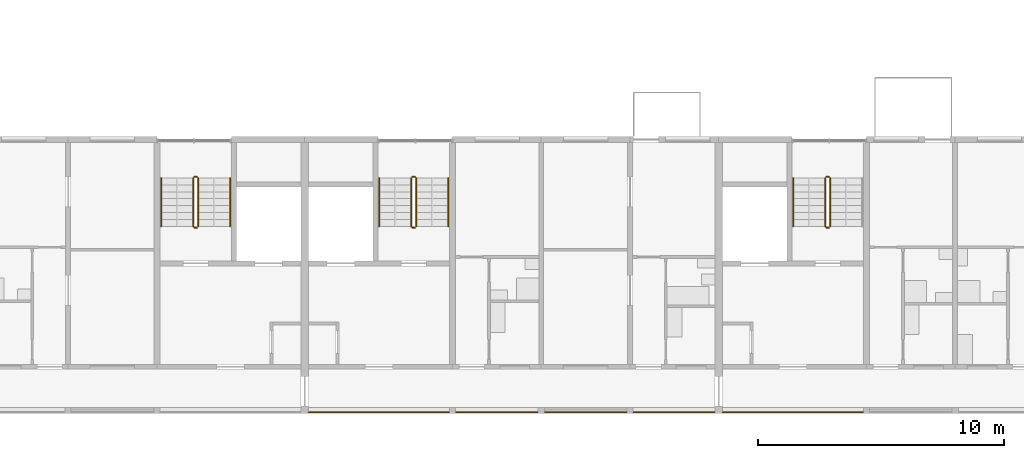
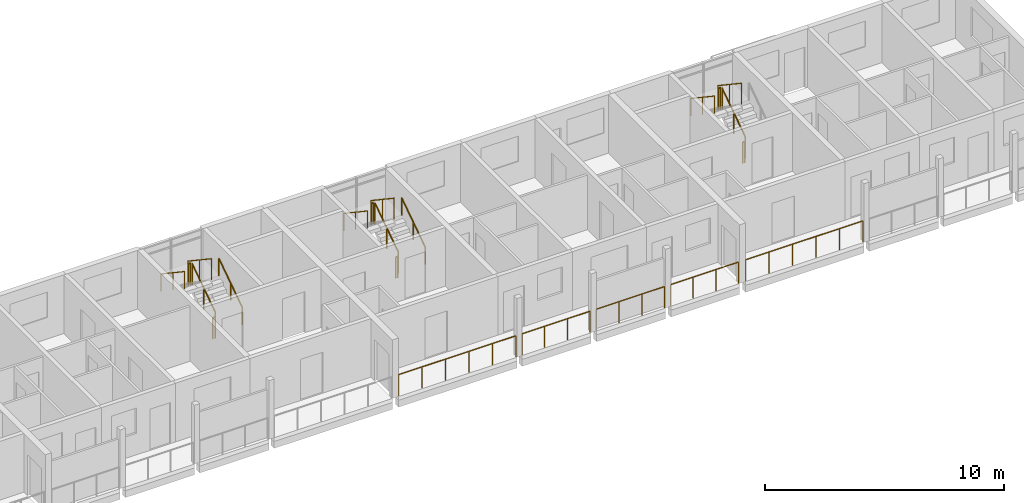
# One storey, part 83 of 87: 22 railings.
"""IFC4 building model written with IfcOpenShell, lengths in metres."""

import ifcopenshell
import ifcopenshell.guid

model = None  # the IFC model being written
_history = None  # IfcOwnerHistory: only IFC2X3 demands one
_inside = {}  # id of a spatial element -> (the spatial element, [elements in it])
_under = {}  # id of a project, library or spatial element -> (it, [spatial elements below it])
_declared = {}  # id of a project -> (the project, [libraries it declares])
_typed = {}  # id of a type object -> (the type object, [elements of that type])
_made_of = {}  # id of a material, layer set ... -> (it, [elements and type objects made of it])


def new_model(schema):
    """Start an empty IFC model of exactly this schema.

    Asked for "IFC4X3", IfcOpenShell would pick the latest addendum, in which some entities
    have other attributes; the version numbers below select the first issue.
    IFC2X3 requires an IfcOwnerHistory on every rooted entity: one is made here for all.
    """
    global model, _history
    if schema == "IFC4X3":
        model = ifcopenshell.file(schema_version=(4, 3, 0, 0))
    else:
        model = ifcopenshell.file(schema=schema)
    _inside.clear()
    _under.clear()
    _declared.clear()
    _typed.clear()
    _made_of.clear()
    _history = None
    if model.schema == "IFC2X3":
        org = make("IfcOrganization", Name="unknown")
        user = make(
            "IfcPersonAndOrganization",
            ThePerson=make("IfcPerson", FamilyName="unknown"),
            TheOrganization=org,
        )
        app = make(
            "IfcApplication",
            ApplicationDeveloper=org,
            Version="unknown",
            ApplicationFullName="unknown",
            ApplicationIdentifier="unknown",
        )
        _history = make(
            "IfcOwnerHistory",
            OwningUser=user,
            OwningApplication=app,
            ChangeAction="ADDED",
            CreationDate=0,
        )
    return model


def make(cls, **values):
    """One entity of the class cls with the attributes given. An attribute that is None is left unset."""
    return model.create_entity(
        cls, **{name: value for name, value in values.items() if value is not None}
    )


def rooted(cls, **values):
    """An entity with a GlobalId (a new one), such as an element, a storey or a relation."""
    return make(cls, GlobalId=ifcopenshell.guid.new(), OwnerHistory=_history, **values)


def si_unit(unit_type, name, prefix=None):
    """IfcSIUnit, for example si_unit("LENGTHUNIT", "METRE", prefix="MILLI")."""
    return make("IfcSIUnit", UnitType=unit_type, Prefix=prefix, Name=name)


def assignment(units):
    """IfcUnitAssignment: the units of a project."""
    return None if units is None else make("IfcUnitAssignment", Units=units)


def point(xyz):
    """IfcCartesianPoint."""
    return None if xyz is None else make("IfcCartesianPoint", Coordinates=xyz)


def direction(xyz):
    """IfcDirection."""
    return None if xyz is None else make("IfcDirection", DirectionRatios=xyz)


def frame(location, z_axis=None, x_axis=None):
    """IfcAxis2Placement3D, a coordinate frame: its origin and axes. An axis left out is left unset."""
    return make(
        "IfcAxis2Placement3D",
        Location=point(location),
        Axis=direction(z_axis),
        RefDirection=direction(x_axis),
    )


def frame_2d(location, x_axis=None):
    """IfcAxis2Placement2D, a coordinate frame in the plane: its origin and x axis."""
    return make(
        "IfcAxis2Placement2D", Location=point(location), RefDirection=direction(x_axis)
    )


def origin():
    """The frame at (0, 0, 0) with its axes left unset."""
    return frame((0.0, 0.0, 0.0))


def origin_2d():
    """The frame at (0, 0) in the plane with its x axis left unset."""
    return frame_2d((0.0, 0.0))


def place(relative_to, where):
    """IfcLocalPlacement: puts the frame where relative to a parent placement (None: the world)."""
    return make(
        "IfcLocalPlacement", PlacementRelTo=relative_to, RelativePlacement=where
    )


def context(
    kind, dimensions, precision=None, world=None, true_north=None, identifier=None
):
    """IfcGeometricRepresentationContext, for example the 3D "Model" context."""
    return make(
        "IfcGeometricRepresentationContext",
        ContextIdentifier=identifier,
        ContextType=kind,
        CoordinateSpaceDimension=dimensions,
        Precision=precision,
        WorldCoordinateSystem=world,
        TrueNorth=true_north,
    )


def subcontext(parent, identifier, kind, view, scale=None):
    """IfcGeometricRepresentationSubContext, for example "Body" below "Model"."""
    return make(
        "IfcGeometricRepresentationSubContext",
        ContextIdentifier=identifier,
        ContextType=kind,
        ParentContext=parent,
        TargetScale=scale,
        TargetView=view,
    )


def project(units=None, contexts=None):
    """IfcProject with its units and contexts."""
    return rooted(
        "IfcProject",
        Name="project",
        RepresentationContexts=contexts,
        UnitsInContext=assignment(units),
    )


def spatial(cls, under=None, at=None, **own):
    """A site, building, storey or space (cls), placed at a placement, below another one or the project."""
    s = rooted(cls, ObjectPlacement=at, **own)
    if under is not None:
        _under.setdefault(under.id(), (under, []))[1].append(s)
    return s


def profile(cls, at=None, kind="AREA", **sizes):
    """A parametric profile (cls). Its sizes go by their IFC names, for example OverallWidth=200.0."""
    return make(cls, ProfileType=kind, Position=at, **sizes)


def circle(**sizes):
    """IfcCircleProfileDef."""
    return profile("IfcCircleProfileDef", **sizes)


def extrude(swept, where, along, depth):
    """IfcExtrudedAreaSolid: the profile swept, set in the frame where, extruded along a direction by depth."""
    return make(
        "IfcExtrudedAreaSolid",
        SweptArea=swept,
        Position=where,
        ExtrudedDirection=direction(along),
        Depth=depth,
    )


def shape(context_of_items, identifier, shape_type, items):
    """IfcShapeRepresentation: the items that make up one representation, for example the "Body"."""
    return make(
        "IfcShapeRepresentation",
        ContextOfItems=context_of_items,
        RepresentationIdentifier=identifier,
        RepresentationType=shape_type,
        Items=items,
    )


def material(Name=None, Category=None):
    """IfcMaterial."""
    return make("IfcMaterial", Name=Name, Category=Category)


def made_of(thing, what):
    """Note that an element or type object is made of a material, layer set ...; save() writes the relation."""
    if what is not None:
        _made_of.setdefault(what.id(), (what, []))[1].append(thing)
    return thing


def type_object(cls, material=None, **own):
    """A type object (cls), such as IfcWallType, which elements share."""
    return made_of(rooted(cls, **own), material)


def element(
    cls,
    number,
    at=None,
    inside=None,
    cuts=None,
    type_object=None,
    material=None,
    context=None,
    identifier="Body",
    shape_type=None,
    held_by="IfcProductDefinitionShape",
    body=None,
    shapes=None,
    **own,
):
    """One element of the class cls, such as IfcWall. Its Tag is "e" and its number.

    at: its placement. inside: the storey or other place that contains it. cuts: it is an
    opening in that element (IfcRelVoidsElement). A single representation is given by context,
    identifier, shape_type and body (its items); several are given by shapes. held_by: the class
    of the entity that holds the representations. save() writes the other relations.
    """
    e = rooted(cls, Tag="e%d" % number, ObjectPlacement=at, **own)
    if body is not None:
        shapes = [shape(context, identifier, shape_type, body)]
    if shapes is not None:
        e.Representation = make(held_by, Representations=shapes)
    if inside is not None:
        _inside.setdefault(inside.id(), (inside, []))[1].append(e)
    if cuts is not None:
        rooted(
            "IfcRelVoidsElement", RelatingBuildingElement=cuts, RelatedOpeningElement=e
        )
    if type_object is not None:
        _typed.setdefault(type_object.id(), (type_object, []))[1].append(e)
    return made_of(e, material)


def aggregate(whole, parts):
    """IfcRelAggregates: a whole, such as a stair, and the parts it consists of."""
    return rooted("IfcRelAggregates", RelatingObject=whole, RelatedObjects=parts)


def save(model, path):
    """Write the relations noted so far, then the file.

    IfcRelAggregates (storeys below a building ...), IfcRelContainedInSpatialStructure (elements
    in a storey), IfcRelDefinesByType, IfcRelAssociatesMaterial and IfcRelDeclares: one each for
    every whole, place, type object, material and project.
    """
    for whole, parts in _under.values():
        aggregate(whole, parts)
    for where, things in _inside.values():
        rooted(
            "IfcRelContainedInSpatialStructure",
            RelatedElements=things,
            RelatingStructure=where,
        )
    for kind, things in _typed.values():
        rooted("IfcRelDefinesByType", RelatedObjects=things, RelatingType=kind)
    for what, things in _made_of.values():
        rooted("IfcRelAssociatesMaterial", RelatedObjects=things, RelatingMaterial=what)
    for by, libraries in _declared.values():
        rooted("IfcRelDeclares", RelatingContext=by, RelatedDefinitions=libraries)
    model.write(path)


model = new_model("IFC4")

# Units and contexts
model_context = context("Model", 3, precision=1e-05, world=origin(), true_north=direction((0.0, 1.0)))
body_context = subcontext(model_context, "Body", "Model", "MODEL_VIEW")
ifc_project = project(units=[si_unit("LENGTHUNIT", "METRE"), si_unit("AREAUNIT", "SQUARE_METRE"), si_unit("VOLUMEUNIT", "CUBIC_METRE"), si_unit("PLANEANGLEUNIT", "RADIAN"), si_unit("MASSUNIT", "GRAM", prefix="KILO")], contexts=[model_context])

# Site, building, storey
site_placement = place(None, origin())
site = spatial("IfcSite", under=ifc_project, at=site_placement, CompositionType="ELEMENT")
building_placement = place(site_placement, origin())
building = spatial("IfcBuilding", under=site, at=building_placement, Name="Ridgestep Commons", CompositionType="ELEMENT")
storey_placement = place(building_placement, frame((0.0, 0.0, 27.0)))
storey = spatial("IfcBuildingStorey", under=building, at=storey_placement, Name="L09", CompositionType="ELEMENT", Elevation=27.0)

# Railings
ifc_material_1 = material(Name="Structural steel S355JR", Category="steel")
railing_type_1 = type_object("IfcRailingType", Name="Guard 1100", PredefinedType="GUARDRAIL", material=ifc_material_1)
railing_1_placement = place(storey_placement, frame((214.1708984375, 11.800048828125, 0.0)))
element("IfcRailing", 1, at=railing_1_placement, inside=storey, type_object=railing_type_1, Name="Gallery guard D 09.17", PredefinedType="GUARDRAIL", context=body_context, shape_type="SweptSolid", body=[
    extrude(circle(Radius=0.02392578125, at=origin_2d()), frame((0.0, 0.0, 1.076171875), z_axis=(1.0, 0.0, 0.0), x_axis=(0.0, 1.0, 0.0)), (0.0, 0.0, 1.0), 5.68310546875),
    extrude(circle(Radius=0.02099609375, at=origin_2d()), origin(), (0.0, 0.0, 1.0), 1.052001953125),
    extrude(circle(Radius=0.02099609375, at=origin_2d()), frame((1.13671875, 0.0, 0.0)), (0.0, 0.0, 1.0), 1.052001953125),
    extrude(circle(Radius=0.02099609375, at=origin_2d()), frame((2.273193359375, 0.0, 0.0)), (0.0, 0.0, 1.0), 1.052001953125),
    extrude(circle(Radius=0.02099609375, at=origin_2d()), frame((3.409912109375, 0.0, 0.0)), (0.0, 0.0, 1.0), 1.052001953125),
    extrude(circle(Radius=0.02099609375, at=origin_2d()), frame((4.54638671875, 0.0, 0.0)), (0.0, 0.0, 1.0), 1.052001953125),
    extrude(circle(Radius=0.02099609375, at=origin_2d()), frame((5.68310546875, 0.0, 0.0)), (0.0, 0.0, 1.0), 1.052001953125),
])
railing_2_placement = place(storey_placement, frame((220.14599609375, 11.800048828125, 0.0)))
element("IfcRailing", 2, at=railing_2_placement, inside=storey, type_object=railing_type_1, Name="Gallery guard D 09.18", PredefinedType="GUARDRAIL", context=body_context, shape_type="SweptSolid", body=[
    extrude(circle(Radius=0.02392578125, at=origin_2d()), frame((0.0, 0.0, 1.076171875), z_axis=(1.0, 0.0, 0.0), x_axis=(0.0, 1.0, 0.0)), (0.0, 0.0, 1.0), 3.30810546875),
    extrude(circle(Radius=0.02099609375, at=origin_2d()), origin(), (0.0, 0.0, 1.0), 1.052001953125),
    extrude(circle(Radius=0.02099609375, at=origin_2d()), frame((1.102783203125, 0.0, 0.0)), (0.0, 0.0, 1.0), 1.052001953125),
    extrude(circle(Radius=0.02099609375, at=origin_2d()), frame((2.205322265625, 0.0, 0.0)), (0.0, 0.0, 1.0), 1.052001953125),
    extrude(circle(Radius=0.02099609375, at=origin_2d()), frame((3.30810546875, 0.0, 0.0)), (0.0, 0.0, 1.0), 1.052001953125),
])
railing_3_placement = place(storey_placement, frame((223.74609375, 11.800048828125, 0.0)))
element("IfcRailing", 3, at=railing_3_placement, inside=storey, type_object=railing_type_1, Name="Gallery guard D 09.19", PredefinedType="GUARDRAIL", context=body_context, shape_type="SweptSolid", body=[
    extrude(circle(Radius=0.02392578125, at=origin_2d()), frame((0.0, 0.0, 1.076171875), z_axis=(1.0, 0.0, 0.0), x_axis=(0.0, 1.0, 0.0)), (0.0, 0.0, 1.0), 3.307861328125),
    extrude(circle(Radius=0.02099609375, at=origin_2d()), origin(), (0.0, 0.0, 1.0), 1.052001953125),
    extrude(circle(Radius=0.02099609375, at=origin_2d()), frame((1.1025390625, 0.0, 0.0)), (0.0, 0.0, 1.0), 1.052001953125),
    extrude(circle(Radius=0.02099609375, at=origin_2d()), frame((2.205322265625, 0.0, 0.0)), (0.0, 0.0, 1.0), 1.052001953125),
    extrude(circle(Radius=0.02099609375, at=origin_2d()), frame((3.307861328125, 0.0, 0.0)), (0.0, 0.0, 1.0), 1.052001953125),
])
railing_4_placement = place(storey_placement, frame((227.345947265625, 11.800048828125, 0.0)))
element("IfcRailing", 4, at=railing_4_placement, inside=storey, type_object=railing_type_1, Name="Gallery guard D 09.20", PredefinedType="GUARDRAIL", context=body_context, shape_type="SweptSolid", body=[
    extrude(circle(Radius=0.02392578125, at=origin_2d()), frame((0.0, 0.0, 1.076171875), z_axis=(1.0, 0.0, 0.0), x_axis=(0.0, 1.0, 0.0)), (0.0, 0.0, 1.0), 3.282958984375),
    extrude(circle(Radius=0.02099609375, at=origin_2d()), origin(), (0.0, 0.0, 1.0), 1.052001953125),
    extrude(circle(Radius=0.02099609375, at=origin_2d()), frame((1.09423828125, 0.0, 0.0)), (0.0, 0.0, 1.0), 1.052001953125),
    extrude(circle(Radius=0.02099609375, at=origin_2d()), frame((2.188720703125, 0.0, 0.0)), (0.0, 0.0, 1.0), 1.052001953125),
    extrude(circle(Radius=0.02099609375, at=origin_2d()), frame((3.282958984375, 0.0, 0.0)), (0.0, 0.0, 1.0), 1.052001953125),
])
railing_5_placement = place(storey_placement, frame((230.970947265625, 11.800048828125, 0.0)))
element("IfcRailing", 5, at=railing_5_placement, inside=storey, type_object=railing_type_1, Name="Gallery guard D 09.21", PredefinedType="GUARDRAIL", context=body_context, shape_type="SweptSolid", body=[
    extrude(circle(Radius=0.02392578125, at=origin_2d()), frame((0.0, 0.0, 1.076171875), z_axis=(1.0, 0.0, 0.0), x_axis=(0.0, 1.0, 0.0)), (0.0, 0.0, 1.0), 5.68310546875),
    extrude(circle(Radius=0.02099609375, at=origin_2d()), origin(), (0.0, 0.0, 1.0), 1.052001953125),
    extrude(circle(Radius=0.02099609375, at=origin_2d()), frame((1.13671875, 0.0, 0.0)), (0.0, 0.0, 1.0), 1.052001953125),
    extrude(circle(Radius=0.02099609375, at=origin_2d()), frame((2.273193359375, 0.0, 0.0)), (0.0, 0.0, 1.0), 1.052001953125),
    extrude(circle(Radius=0.02099609375, at=origin_2d()), frame((3.409912109375, 0.0, 0.0)), (0.0, 0.0, 1.0), 1.052001953125),
    extrude(circle(Radius=0.02099609375, at=origin_2d()), frame((4.54638671875, 0.0, 0.0)), (0.0, 0.0, 1.0), 1.052001953125),
    extrude(circle(Radius=0.02099609375, at=origin_2d()), frame((5.68310546875, 0.0, 0.0)), (0.0, 0.0, 1.0), 1.052001953125),
])
ifc_material_2 = material(Name="Structural steel S355JR", Category="steel")
railing_type_2 = type_object("IfcRailingType", Name="Stair guard 1100", PredefinedType="GUARDRAIL", material=ifc_material_2)
railing_6_placement = place(storey_placement, frame((209.675048828125, 19.35009765625, 0.1875)))
element("IfcRailing", 6, at=railing_6_placement, inside=storey, type_object=railing_type_2, Name="L09 D4C stair guard 1", PredefinedType="GUARDRAIL", context=body_context, shape_type="SweptSolid", body=[
    extrude(circle(Radius=0.02392578125, at=origin_2d()), frame((0.0, 0.0, 1.076171875), z_axis=(0.0, 0.830902050051, 0.556418712142), x_axis=(-1.0, 0.0, 0.0)), (0.0, 0.0, 1.0), 2.35888671875),
    extrude(circle(Radius=0.02099609375, at=origin_2d()), origin(), (0.0, 0.0, 1.0), 1.052001953125),
    extrude(circle(Radius=0.02099609375, at=origin_2d()), frame((0.0, 0.97998046875, 0.65625)), (0.0, 0.0, 1.0), 1.052001953125),
    extrude(circle(Radius=0.02099609375, at=origin_2d()), frame((0.0, 1.9599609375, 1.3125)), (0.0, 0.0, 1.0), 1.052001953125),
])
railing_7_placement = place(storey_placement, frame((209.625, 21.360107421875, 1.5)))
element("IfcRailing", 7, at=railing_7_placement, inside=storey, type_object=railing_type_2, Name="L09 D4C stair guard 2", PredefinedType="GUARDRAIL", context=body_context, shape_type="SweptSolid", body=[
    extrude(circle(Radius=0.02392578125, at=origin_2d()), frame((0.0, 0.0, 1.076171875), z_axis=(-1.0, 0.0, 0.0), x_axis=(0.0, -1.0, 0.0)), (0.0, 0.0, 1.0), 0.10009765625),
    extrude(circle(Radius=0.02099609375, at=origin_2d()), origin(), (0.0, 0.0, 1.0), 1.052001953125),
    extrude(circle(Radius=0.02099609375, at=origin_2d()), frame((-0.10009765625, 0.0, 0.0)), (0.0, 0.0, 1.0), 1.052001953125),
])
railing_8_placement = place(storey_placement, frame((209.47509765625, 21.31005859375, 1.6875)))
element("IfcRailing", 8, at=railing_8_placement, inside=storey, type_object=railing_type_2, Name="L09 D4C stair guard 3", PredefinedType="GUARDRAIL", context=body_context, shape_type="SweptSolid", body=[
    extrude(circle(Radius=0.02392578125, at=origin_2d()), frame((0.0, 0.0, 1.076171875), z_axis=(0.0, -0.830902050051, 0.556418712142), x_axis=(1.0, 0.0, 0.0)), (0.0, 0.0, 1.0), 2.35888671875),
    extrude(circle(Radius=0.02099609375, at=origin_2d()), origin(), (0.0, 0.0, 1.0), 1.052001953125),
    extrude(circle(Radius=0.02099609375, at=origin_2d()), frame((0.0, -0.97998046875, 0.65625)), (0.0, 0.0, 1.0), 1.052001953125),
    extrude(circle(Radius=0.02099609375, at=origin_2d()), frame((0.0, -1.9599609375, 1.3125)), (0.0, 0.0, 1.0), 1.052001953125),
])
railing_9_placement = place(storey_placement, frame((209.625, 19.300048828125, 0.0)))
element("IfcRailing", 9, at=railing_9_placement, inside=storey, type_object=railing_type_2, Name="L09 D4C stair guard 4", PredefinedType="GUARDRAIL", context=body_context, shape_type="SweptSolid", body=[
    extrude(circle(Radius=0.02392578125, at=origin_2d()), frame((0.0, 0.0, 1.076171875), z_axis=(-1.0, 0.0, 0.0), x_axis=(0.0, -1.0, 0.0)), (0.0, 0.0, 1.0), 0.10009765625),
    extrude(circle(Radius=0.02099609375, at=origin_2d()), origin(), (0.0, 0.0, 1.0), 1.052001953125),
    extrude(circle(Radius=0.02099609375, at=origin_2d()), frame((-0.10009765625, 0.0, 0.0)), (0.0, 0.0, 1.0), 1.052001953125),
])
railing_10_placement = place(storey_placement, frame((218.52490234375, 19.35009765625, 0.1875)))
element("IfcRailing", 10, at=railing_10_placement, inside=storey, type_object=railing_type_2, Name="L09 D5C stair guard 1", PredefinedType="GUARDRAIL", context=body_context, shape_type="SweptSolid", body=[
    extrude(circle(Radius=0.02392578125, at=origin_2d()), frame((0.0, 0.0, 1.076171875), z_axis=(0.0, 0.830902050051, 0.556418712142), x_axis=(-1.0, 0.0, 0.0)), (0.0, 0.0, 1.0), 2.35888671875),
    extrude(circle(Radius=0.02099609375, at=origin_2d()), origin(), (0.0, 0.0, 1.0), 1.052001953125),
    extrude(circle(Radius=0.02099609375, at=origin_2d()), frame((0.0, 0.97998046875, 0.65625)), (0.0, 0.0, 1.0), 1.052001953125),
    extrude(circle(Radius=0.02099609375, at=origin_2d()), frame((0.0, 1.9599609375, 1.3125)), (0.0, 0.0, 1.0), 1.052001953125),
])
railing_11_placement = place(storey_placement, frame((218.47509765625, 21.360107421875, 1.5)))
element("IfcRailing", 11, at=railing_11_placement, inside=storey, type_object=railing_type_2, Name="L09 D5C stair guard 2", PredefinedType="GUARDRAIL", context=body_context, shape_type="SweptSolid", body=[
    extrude(circle(Radius=0.02392578125, at=origin_2d()), frame((0.0, 0.0, 1.076171875), z_axis=(-1.0, 0.0, 0.0), x_axis=(0.0, -1.0, 0.0)), (0.0, 0.0, 1.0), 0.10009765625),
    extrude(circle(Radius=0.02099609375, at=origin_2d()), origin(), (0.0, 0.0, 1.0), 1.052001953125),
    extrude(circle(Radius=0.02099609375, at=origin_2d()), frame((-0.10009765625, 0.0, 0.0)), (0.0, 0.0, 1.0), 1.052001953125),
])
railing_12_placement = place(storey_placement, frame((218.324951171875, 21.31005859375, 1.6875)))
element("IfcRailing", 12, at=railing_12_placement, inside=storey, type_object=railing_type_2, Name="L09 D5C stair guard 3", PredefinedType="GUARDRAIL", context=body_context, shape_type="SweptSolid", body=[
    extrude(circle(Radius=0.02392578125, at=origin_2d()), frame((0.0, 0.0, 1.076171875), z_axis=(0.0, -0.830902050051, 0.556418712142), x_axis=(1.0, 0.0, 0.0)), (0.0, 0.0, 1.0), 2.35888671875),
    extrude(circle(Radius=0.02099609375, at=origin_2d()), origin(), (0.0, 0.0, 1.0), 1.052001953125),
    extrude(circle(Radius=0.02099609375, at=origin_2d()), frame((0.0, -0.97998046875, 0.65625)), (0.0, 0.0, 1.0), 1.052001953125),
    extrude(circle(Radius=0.02099609375, at=origin_2d()), frame((0.0, -1.9599609375, 1.3125)), (0.0, 0.0, 1.0), 1.052001953125),
])
railing_13_placement = place(storey_placement, frame((218.47509765625, 19.300048828125, 0.0)))
element("IfcRailing", 13, at=railing_13_placement, inside=storey, type_object=railing_type_2, Name="L09 D5C stair guard 4", PredefinedType="GUARDRAIL", context=body_context, shape_type="SweptSolid", body=[
    extrude(circle(Radius=0.02392578125, at=origin_2d()), frame((0.0, 0.0, 1.076171875), z_axis=(-1.0, 0.0, 0.0), x_axis=(0.0, -1.0, 0.0)), (0.0, 0.0, 1.0), 0.10009765625),
    extrude(circle(Radius=0.02099609375, at=origin_2d()), origin(), (0.0, 0.0, 1.0), 1.052001953125),
    extrude(circle(Radius=0.02099609375, at=origin_2d()), frame((-0.10009765625, 0.0, 0.0)), (0.0, 0.0, 1.0), 1.052001953125),
])
railing_14_placement = place(storey_placement, frame((235.324951171875, 19.35009765625, 0.1875)))
element("IfcRailing", 14, at=railing_14_placement, inside=storey, type_object=railing_type_2, Name="L09 D6C stair guard 1", PredefinedType="GUARDRAIL", context=body_context, shape_type="SweptSolid", body=[
    extrude(circle(Radius=0.02392578125, at=origin_2d()), frame((0.0, 0.0, 1.076171875), z_axis=(0.0, 0.830902050051, 0.556418712142), x_axis=(-1.0, 0.0, 0.0)), (0.0, 0.0, 1.0), 2.35888671875),
    extrude(circle(Radius=0.02099609375, at=origin_2d()), origin(), (0.0, 0.0, 1.0), 1.052001953125),
    extrude(circle(Radius=0.02099609375, at=origin_2d()), frame((0.0, 0.97998046875, 0.65625)), (0.0, 0.0, 1.0), 1.052001953125),
    extrude(circle(Radius=0.02099609375, at=origin_2d()), frame((0.0, 1.9599609375, 1.3125)), (0.0, 0.0, 1.0), 1.052001953125),
])
railing_15_placement = place(storey_placement, frame((235.27490234375, 21.360107421875, 1.5)))
element("IfcRailing", 15, at=railing_15_placement, inside=storey, type_object=railing_type_2, Name="L09 D6C stair guard 2", PredefinedType="GUARDRAIL", context=body_context, shape_type="SweptSolid", body=[
    extrude(circle(Radius=0.02392578125, at=origin_2d()), frame((0.0, 0.0, 1.076171875), z_axis=(-1.0, 0.0, 0.0), x_axis=(0.0, -1.0, 0.0)), (0.0, 0.0, 1.0), 0.099853515625),
    extrude(circle(Radius=0.02099609375, at=origin_2d()), origin(), (0.0, 0.0, 1.0), 1.052001953125),
    extrude(circle(Radius=0.02099609375, at=origin_2d()), frame((-0.099853515625, 0.0, 0.0)), (0.0, 0.0, 1.0), 1.052001953125),
])
railing_16_placement = place(storey_placement, frame((235.125, 21.31005859375, 1.6875)))
element("IfcRailing", 16, at=railing_16_placement, inside=storey, type_object=railing_type_2, Name="L09 D6C stair guard 3", PredefinedType="GUARDRAIL", context=body_context, shape_type="SweptSolid", body=[
    extrude(circle(Radius=0.02392578125, at=origin_2d()), frame((0.0, 0.0, 1.076171875), z_axis=(0.0, -0.830902050051, 0.556418712142), x_axis=(1.0, 0.0, 0.0)), (0.0, 0.0, 1.0), 2.35888671875),
    extrude(circle(Radius=0.02099609375, at=origin_2d()), origin(), (0.0, 0.0, 1.0), 1.052001953125),
    extrude(circle(Radius=0.02099609375, at=origin_2d()), frame((0.0, -0.97998046875, 0.65625)), (0.0, 0.0, 1.0), 1.052001953125),
    extrude(circle(Radius=0.02099609375, at=origin_2d()), frame((0.0, -1.9599609375, 1.3125)), (0.0, 0.0, 1.0), 1.052001953125),
])
railing_17_placement = place(storey_placement, frame((235.27490234375, 19.300048828125, 0.0)))
element("IfcRailing", 17, at=railing_17_placement, inside=storey, type_object=railing_type_2, Name="L09 D6C stair guard 4", PredefinedType="GUARDRAIL", context=body_context, shape_type="SweptSolid", body=[
    extrude(circle(Radius=0.02392578125, at=origin_2d()), frame((0.0, 0.0, 1.076171875), z_axis=(-1.0, 0.0, 0.0), x_axis=(0.0, -1.0, 0.0)), (0.0, 0.0, 1.0), 0.099853515625),
    extrude(circle(Radius=0.02099609375, at=origin_2d()), origin(), (0.0, 0.0, 1.0), 1.052001953125),
    extrude(circle(Radius=0.02099609375, at=origin_2d()), frame((-0.099853515625, 0.0, 0.0)), (0.0, 0.0, 1.0), 1.052001953125),
])
ifc_material_3 = material(Name="Structural steel S355JR", Category="steel")
railing_type_3 = type_object("IfcRailingType", Name="Stair handrail 900", PredefinedType="HANDRAIL", material=ifc_material_3)
railing_18_placement = place(storey_placement, frame((210.97509765625, 19.35009765625, 0.1875)))
element("IfcRailing", 18, at=railing_18_placement, inside=storey, type_object=railing_type_3, Name="L09 D4C stair handrail 1", PredefinedType="HANDRAIL", context=body_context, shape_type="SweptSolid", body=[
    extrude(circle(Radius=0.02392578125, at=origin_2d()), frame((0.0, 0.0, 0.8759765625), z_axis=(0.0, 0.830902050051, 0.556418712142), x_axis=(-1.0, 0.0, 0.0)), (0.0, 0.0, 1.0), 2.35888671875),
    extrude(circle(Radius=0.02099609375, at=origin_2d()), origin(), (0.0, 0.0, 1.0), 0.851806640625),
    extrude(circle(Radius=0.02099609375, at=origin_2d()), frame((0.0, 0.97998046875, 0.65625)), (0.0, 0.0, 1.0), 0.851806640625),
    extrude(circle(Radius=0.02099609375, at=origin_2d()), frame((0.0, 1.9599609375, 1.3125)), (0.0, 0.0, 1.0), 0.851806640625),
])
railing_19_placement = place(storey_placement, frame((208.175048828125, 21.31005859375, 1.6875)))
element("IfcRailing", 19, at=railing_19_placement, inside=storey, type_object=railing_type_3, Name="L09 D4C stair handrail 2", PredefinedType="HANDRAIL", context=body_context, shape_type="SweptSolid", body=[
    extrude(circle(Radius=0.02392578125, at=origin_2d()), frame((0.0, 0.0, 0.8759765625), z_axis=(0.0, -0.830902050051, 0.556418712142), x_axis=(1.0, 0.0, 0.0)), (0.0, 0.0, 1.0), 2.35888671875),
    extrude(circle(Radius=0.02099609375, at=origin_2d()), origin(), (0.0, 0.0, 1.0), 0.851806640625),
    extrude(circle(Radius=0.02099609375, at=origin_2d()), frame((0.0, -0.97998046875, 0.65625)), (0.0, 0.0, 1.0), 0.851806640625),
    extrude(circle(Radius=0.02099609375, at=origin_2d()), frame((0.0, -1.9599609375, 1.3125)), (0.0, 0.0, 1.0), 0.851806640625),
])
railing_20_placement = place(storey_placement, frame((219.824951171875, 19.35009765625, 0.1875)))
element("IfcRailing", 20, at=railing_20_placement, inside=storey, type_object=railing_type_3, Name="L09 D5C stair handrail 1", PredefinedType="HANDRAIL", context=body_context, shape_type="SweptSolid", body=[
    extrude(circle(Radius=0.02392578125, at=origin_2d()), frame((0.0, 0.0, 0.8759765625), z_axis=(0.0, 0.830902050051, 0.556418712142), x_axis=(-1.0, 0.0, 0.0)), (0.0, 0.0, 1.0), 2.35888671875),
    extrude(circle(Radius=0.02099609375, at=origin_2d()), origin(), (0.0, 0.0, 1.0), 0.851806640625),
    extrude(circle(Radius=0.02099609375, at=origin_2d()), frame((0.0, 0.97998046875, 0.65625)), (0.0, 0.0, 1.0), 0.851806640625),
    extrude(circle(Radius=0.02099609375, at=origin_2d()), frame((0.0, 1.9599609375, 1.3125)), (0.0, 0.0, 1.0), 0.851806640625),
])
for number, where, name in (
    (21, (217.02490234375, 21.31005859375, 1.6875), "L09 D5C stair handrail 2"),
    (22, (233.824951171875, 21.31005859375, 1.6875), "L09 D6C stair handrail 2"),
):
    element("IfcRailing", number, at=place(storey_placement, frame(where)), inside=storey, type_object=railing_type_3, Name=name, PredefinedType="HANDRAIL", context=body_context, shape_type="SweptSolid", body=[
        extrude(circle(Radius=0.02392578125, at=origin_2d()), frame((0.0, 0.0, 0.8759765625), z_axis=(0.0, -0.830902050051, 0.556418712142), x_axis=(1.0, 0.0, 0.0)), (0.0, 0.0, 1.0), 2.35888671875),
        extrude(circle(Radius=0.02099609375, at=origin_2d()), origin(), (0.0, 0.0, 1.0), 0.851806640625),
        extrude(circle(Radius=0.02099609375, at=origin_2d()), frame((0.0, -0.97998046875, 0.65625)), (0.0, 0.0, 1.0), 0.851806640625),
        extrude(circle(Radius=0.02099609375, at=origin_2d()), frame((0.0, -1.9599609375, 1.3125)), (0.0, 0.0, 1.0), 0.851806640625),
    ])

save(model, "model.ifc")
